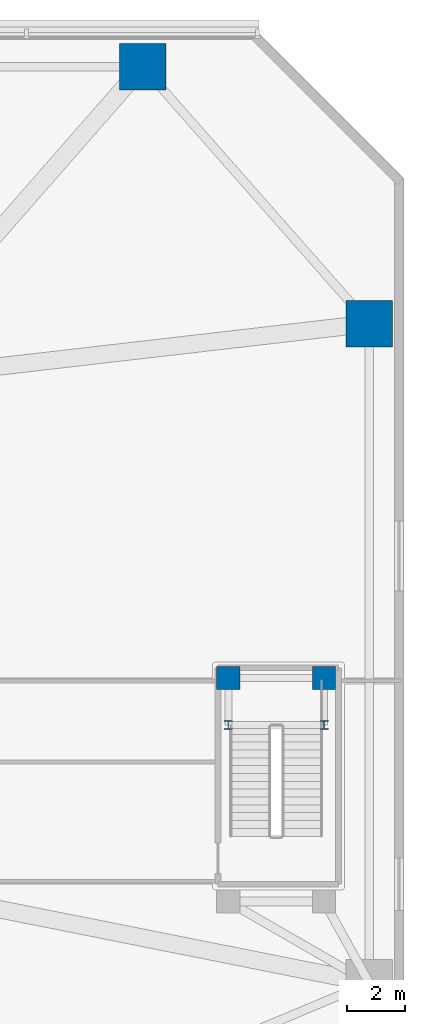
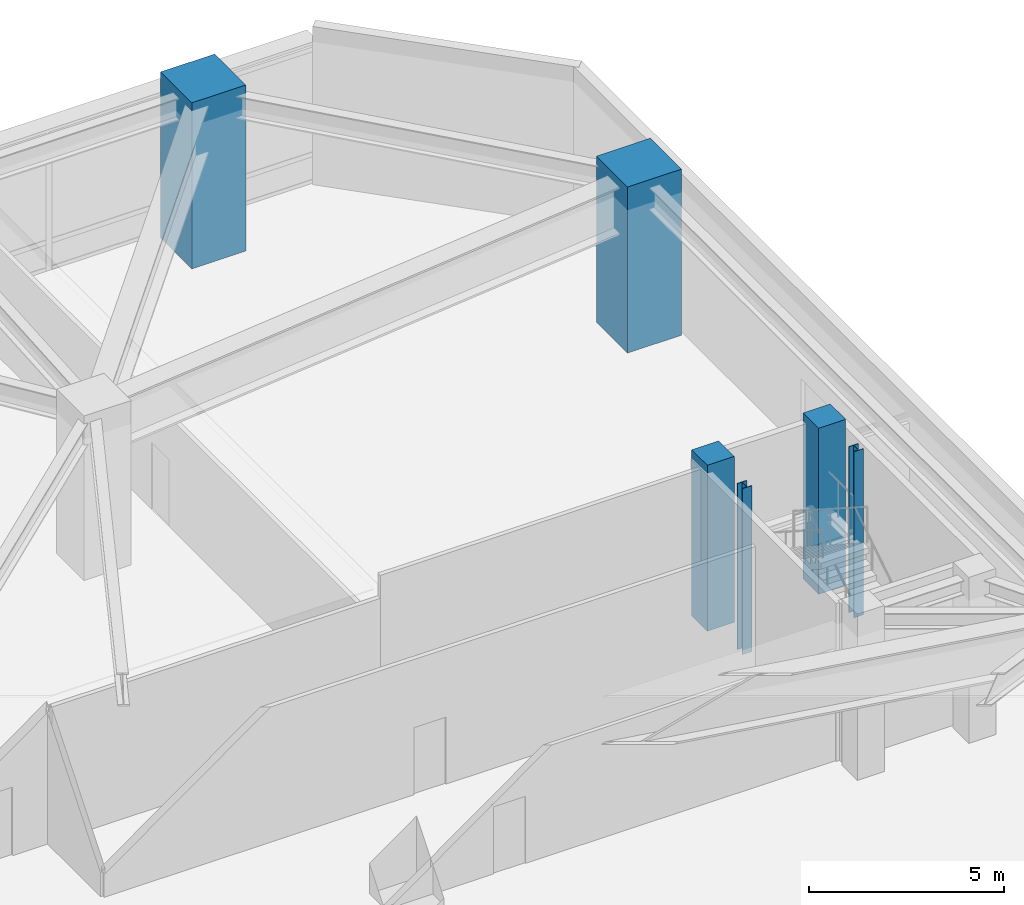
# One storey, part 4 of 28: 6 columns.
"""IFC4 building model written with IfcOpenShell, lengths in metres."""

import ifcopenshell
import ifcopenshell.guid

model = None  # the IFC model being written
_history = None  # IfcOwnerHistory: only IFC2X3 demands one
_inside = {}  # id of a spatial element -> (the spatial element, [elements in it])
_under = {}  # id of a project, library or spatial element -> (it, [spatial elements below it])
_declared = {}  # id of a project -> (the project, [libraries it declares])
_typed = {}  # id of a type object -> (the type object, [elements of that type])
_made_of = {}  # id of a material, layer set ... -> (it, [elements and type objects made of it])


def new_model(schema):
    """Start an empty IFC model of exactly this schema.

    Asked for "IFC4X3", IfcOpenShell would pick the latest addendum, in which some entities
    have other attributes; the version numbers below select the first issue.
    IFC2X3 requires an IfcOwnerHistory on every rooted entity: one is made here for all.
    """
    global model, _history
    if schema == "IFC4X3":
        model = ifcopenshell.file(schema_version=(4, 3, 0, 0))
    else:
        model = ifcopenshell.file(schema=schema)
    _inside.clear()
    _under.clear()
    _declared.clear()
    _typed.clear()
    _made_of.clear()
    _history = None
    if model.schema == "IFC2X3":
        org = make("IfcOrganization", Name="unknown")
        user = make(
            "IfcPersonAndOrganization",
            ThePerson=make("IfcPerson", FamilyName="unknown"),
            TheOrganization=org,
        )
        app = make(
            "IfcApplication",
            ApplicationDeveloper=org,
            Version="unknown",
            ApplicationFullName="unknown",
            ApplicationIdentifier="unknown",
        )
        _history = make(
            "IfcOwnerHistory",
            OwningUser=user,
            OwningApplication=app,
            ChangeAction="ADDED",
            CreationDate=0,
        )
    return model


def make(cls, **values):
    """One entity of the class cls with the attributes given. An attribute that is None is left unset."""
    return model.create_entity(
        cls, **{name: value for name, value in values.items() if value is not None}
    )


def rooted(cls, **values):
    """An entity with a GlobalId (a new one), such as an element, a storey or a relation."""
    return make(cls, GlobalId=ifcopenshell.guid.new(), OwnerHistory=_history, **values)


def si_unit(unit_type, name, prefix=None):
    """IfcSIUnit, for example si_unit("LENGTHUNIT", "METRE", prefix="MILLI")."""
    return make("IfcSIUnit", UnitType=unit_type, Prefix=prefix, Name=name)


def assignment(units):
    """IfcUnitAssignment: the units of a project."""
    return None if units is None else make("IfcUnitAssignment", Units=units)


def point(xyz):
    """IfcCartesianPoint."""
    return None if xyz is None else make("IfcCartesianPoint", Coordinates=xyz)


def direction(xyz):
    """IfcDirection."""
    return None if xyz is None else make("IfcDirection", DirectionRatios=xyz)


def frame(location, z_axis=None, x_axis=None):
    """IfcAxis2Placement3D, a coordinate frame: its origin and axes. An axis left out is left unset."""
    return make(
        "IfcAxis2Placement3D",
        Location=point(location),
        Axis=direction(z_axis),
        RefDirection=direction(x_axis),
    )


def frame_2d(location, x_axis=None):
    """IfcAxis2Placement2D, a coordinate frame in the plane: its origin and x axis."""
    return make(
        "IfcAxis2Placement2D", Location=point(location), RefDirection=direction(x_axis)
    )


def origin():
    """The frame at (0, 0, 0) with its axes left unset."""
    return frame((0.0, 0.0, 0.0))


def origin_2d():
    """The frame at (0, 0) in the plane with its x axis left unset."""
    return frame_2d((0.0, 0.0))


def place(relative_to, where):
    """IfcLocalPlacement: puts the frame where relative to a parent placement (None: the world)."""
    return make(
        "IfcLocalPlacement", PlacementRelTo=relative_to, RelativePlacement=where
    )


def context(
    kind, dimensions, precision=None, world=None, true_north=None, identifier=None
):
    """IfcGeometricRepresentationContext, for example the 3D "Model" context."""
    return make(
        "IfcGeometricRepresentationContext",
        ContextIdentifier=identifier,
        ContextType=kind,
        CoordinateSpaceDimension=dimensions,
        Precision=precision,
        WorldCoordinateSystem=world,
        TrueNorth=true_north,
    )


def subcontext(parent, identifier, kind, view, scale=None):
    """IfcGeometricRepresentationSubContext, for example "Body" below "Model"."""
    return make(
        "IfcGeometricRepresentationSubContext",
        ContextIdentifier=identifier,
        ContextType=kind,
        ParentContext=parent,
        TargetScale=scale,
        TargetView=view,
    )


def project(units=None, contexts=None):
    """IfcProject with its units and contexts."""
    return rooted(
        "IfcProject",
        Name="project",
        RepresentationContexts=contexts,
        UnitsInContext=assignment(units),
    )


def spatial(cls, under=None, at=None, **own):
    """A site, building, storey or space (cls), placed at a placement, below another one or the project."""
    s = rooted(cls, ObjectPlacement=at, **own)
    if under is not None:
        _under.setdefault(under.id(), (under, []))[1].append(s)
    return s


def profile(cls, at=None, kind="AREA", **sizes):
    """A parametric profile (cls). Its sizes go by their IFC names, for example OverallWidth=200.0."""
    return make(cls, ProfileType=kind, Position=at, **sizes)


def rectangle(**sizes):
    """IfcRectangleProfileDef."""
    return profile("IfcRectangleProfileDef", **sizes)


def i_section(**sizes):
    """IfcIShapeProfileDef."""
    return profile("IfcIShapeProfileDef", **sizes)


def extrude(swept, where, along, depth):
    """IfcExtrudedAreaSolid: the profile swept, set in the frame where, extruded along a direction by depth."""
    return make(
        "IfcExtrudedAreaSolid",
        SweptArea=swept,
        Position=where,
        ExtrudedDirection=direction(along),
        Depth=depth,
    )


def shape(context_of_items, identifier, shape_type, items):
    """IfcShapeRepresentation: the items that make up one representation, for example the "Body"."""
    return make(
        "IfcShapeRepresentation",
        ContextOfItems=context_of_items,
        RepresentationIdentifier=identifier,
        RepresentationType=shape_type,
        Items=items,
    )


def material(Name=None, Category=None):
    """IfcMaterial."""
    return make("IfcMaterial", Name=Name, Category=Category)


def material_profile(
    of_material, cross_section, Name=None, Category=None, Priority=None
):
    """IfcMaterialProfile: a cross section and its material."""
    return make(
        "IfcMaterialProfile",
        Name=Name,
        Material=of_material,
        Profile=cross_section,
        Priority=Priority,
        Category=Category,
    )


def profile_set(profiles, Name=None, composite=None):
    """IfcMaterialProfileSet."""
    return make(
        "IfcMaterialProfileSet",
        Name=Name,
        MaterialProfiles=profiles,
        CompositeProfile=composite,
    )


def made_of(thing, what):
    """Note that an element or type object is made of a material, layer set ...; save() writes the relation."""
    if what is not None:
        _made_of.setdefault(what.id(), (what, []))[1].append(thing)
    return thing


def type_object(cls, material=None, **own):
    """A type object (cls), such as IfcWallType, which elements share."""
    return made_of(rooted(cls, **own), material)


def element(
    cls,
    number,
    at=None,
    inside=None,
    cuts=None,
    type_object=None,
    material=None,
    context=None,
    identifier="Body",
    shape_type=None,
    held_by="IfcProductDefinitionShape",
    body=None,
    shapes=None,
    **own,
):
    """One element of the class cls, such as IfcWall. Its Tag is "e" and its number.

    at: its placement. inside: the storey or other place that contains it. cuts: it is an
    opening in that element (IfcRelVoidsElement). A single representation is given by context,
    identifier, shape_type and body (its items); several are given by shapes. held_by: the class
    of the entity that holds the representations. save() writes the other relations.
    """
    e = rooted(cls, Tag="e%d" % number, ObjectPlacement=at, **own)
    if body is not None:
        shapes = [shape(context, identifier, shape_type, body)]
    if shapes is not None:
        e.Representation = make(held_by, Representations=shapes)
    if inside is not None:
        _inside.setdefault(inside.id(), (inside, []))[1].append(e)
    if cuts is not None:
        rooted(
            "IfcRelVoidsElement", RelatingBuildingElement=cuts, RelatedOpeningElement=e
        )
    if type_object is not None:
        _typed.setdefault(type_object.id(), (type_object, []))[1].append(e)
    return made_of(e, material)


def aggregate(whole, parts):
    """IfcRelAggregates: a whole, such as a stair, and the parts it consists of."""
    return rooted("IfcRelAggregates", RelatingObject=whole, RelatedObjects=parts)


def save(model, path):
    """Write the relations noted so far, then the file.

    IfcRelAggregates (storeys below a building ...), IfcRelContainedInSpatialStructure (elements
    in a storey), IfcRelDefinesByType, IfcRelAssociatesMaterial and IfcRelDeclares: one each for
    every whole, place, type object, material and project.
    """
    for whole, parts in _under.values():
        aggregate(whole, parts)
    for where, things in _inside.values():
        rooted(
            "IfcRelContainedInSpatialStructure",
            RelatedElements=things,
            RelatingStructure=where,
        )
    for kind, things in _typed.values():
        rooted("IfcRelDefinesByType", RelatedObjects=things, RelatingType=kind)
    for what, things in _made_of.values():
        rooted("IfcRelAssociatesMaterial", RelatedObjects=things, RelatingMaterial=what)
    for by, libraries in _declared.values():
        rooted("IfcRelDeclares", RelatingContext=by, RelatedDefinitions=libraries)
    model.write(path)


model = new_model("IFC4")

# Units and contexts
model_context = context("Model", 3, precision=1e-05, world=origin(), true_north=direction((0.0, 1.0)))
body_context = subcontext(model_context, "Body", "Model", "MODEL_VIEW")
ifc_project = project(units=[si_unit("LENGTHUNIT", "METRE"), si_unit("AREAUNIT", "SQUARE_METRE"), si_unit("VOLUMEUNIT", "CUBIC_METRE"), si_unit("PLANEANGLEUNIT", "RADIAN"), si_unit("MASSUNIT", "GRAM", prefix="KILO")], contexts=[model_context])

# Site, building, storey
site_placement = place(None, origin())
site = spatial("IfcSite", under=ifc_project, at=site_placement, CompositionType="ELEMENT")
building_placement = place(site_placement, origin())
building = spatial("IfcBuilding", under=site, at=building_placement, Name="Terralouvre Media Tower", CompositionType="ELEMENT")
storey_placement = place(building_placement, frame((0.0, 0.0, 10.39990234375)))
storey = spatial("IfcBuildingStorey", under=building, at=storey_placement, Name="L02", CompositionType="ELEMENT", Elevation=10.39990234375)

# Columns
ifc_material_1 = material(Name="Structural steel S355J2", Category="steel")
ifc_material_profile_1 = material_profile(ifc_material_1, i_section(OverallWidth=0.280029296875, OverallDepth=0.280029296875, WebThickness=0.010498046875, FlangeThickness=0.01806640625, at=origin_2d()), Name="HEB 280")
ifc_profile_set_1 = profile_set([ifc_material_profile_1], Name="Structural steel S355J2")
column_type_1 = type_object("IfcColumnType", Name="Basement Aisle Pilaster PL-HEB280 (HEB 280)", PredefinedType="PILASTER", material=ifc_profile_set_1)
for number, where, z_axis, x_axis, name in (
    (1, (30.949951171875, 9.679931640625, 0.0), (0.0, 0.0, 1.0), (1.0, 0.0, 0.0), "L02 Stair Half-Landing Post ST4CLP1"),
    (2, (34.25, 9.679931640625, 0.0), (0.0, 0.0, 1.0), (1.0, 0.0, 0.0), "L02 Stair Half-Landing Post ST4CLP2"),
):
    element("IfcColumn", number, at=place(storey_placement, frame(where, z_axis=z_axis, x_axis=x_axis)), inside=storey, type_object=column_type_1, Name=name, PredefinedType="PILASTER", context=body_context, shape_type="SweptSolid", body=[
        extrude(i_section(OverallWidth=0.280029296875, OverallDepth=0.280029296875, WebThickness=0.010498046875, FlangeThickness=0.01806640625, at=origin_2d()), origin(), (0.0, 0.0, 1.0), 5.2001953125),
    ])
ifc_material_2 = material(Name="Concrete C60/75", Category="concrete")
ifc_material_profile_2 = material_profile(ifc_material_2, rectangle(XDim=1.60009765625, YDim=1.60009765625, at=origin_2d()), Name="RC 1600x1600")
ifc_profile_set_2 = profile_set([ifc_material_profile_2], Name="Concrete C60/75")
column_type_2 = type_object("IfcColumnType", Name="Structural Column C-RC1600 (RC 1600x1600)", PredefinedType="COLUMN", material=ifc_profile_set_2)
for number, where, z_axis, x_axis, name in (
    (3, (35.800048828125, 23.5, 0.0), (0.0, 0.0, 1.0), (1.0, 0.0, 0.0), "L02 Perimeter Mega-Column PM09"),
    (4, (28.0, 32.35009765625, 0.0), (0.0, 0.0, 1.0), (1.0, 0.0, 0.0), "L02 Perimeter Mega-Column PM10"),
):
    element("IfcColumn", number, at=place(storey_placement, frame(where, z_axis=z_axis, x_axis=x_axis)), inside=storey, type_object=column_type_2, Name=name, PredefinedType="COLUMN", context=body_context, shape_type="SweptSolid", body=[
        extrude(rectangle(XDim=1.60009765625, YDim=1.60009765625, at=origin_2d()), origin(), (0.0, 0.0, 1.0), 5.2001953125),
    ])
ifc_material_3 = material(Name="Concrete C50/60", Category="concrete")
ifc_material_profile_3 = material_profile(ifc_material_3, rectangle(XDim=0.800048828125, YDim=0.800048828125, at=origin_2d()), Name="RC 800x800")
ifc_profile_set_3 = profile_set([ifc_material_profile_3], Name="Concrete C50/60")
column_type_3 = type_object("IfcColumnType", Name="Structural Column C-RC800 (RC 800x800)", PredefinedType="COLUMN", material=ifc_profile_set_3)
for number, where, z_axis, x_axis, name in (
    (5, (34.25, 11.300048828125, 0.0), (0.0, 0.0, 1.0), (1.0, 0.0, 0.0), "L02 Stair Pavilion Support Column ST4C3"),
    (6, (30.949951171875, 11.300048828125, 0.0), (0.0, 0.0, 1.0), (1.0, 0.0, 0.0), "L02 Stair Pavilion Support Column ST4C4"),
):
    element("IfcColumn", number, at=place(storey_placement, frame(where, z_axis=z_axis, x_axis=x_axis)), inside=storey, type_object=column_type_3, Name=name, PredefinedType="COLUMN", context=body_context, shape_type="SweptSolid", body=[
        extrude(rectangle(XDim=0.800048828125, YDim=0.800048828125, at=origin_2d()), origin(), (0.0, 0.0, 1.0), 5.2001953125),
    ])

save(model, "model.ifc")
